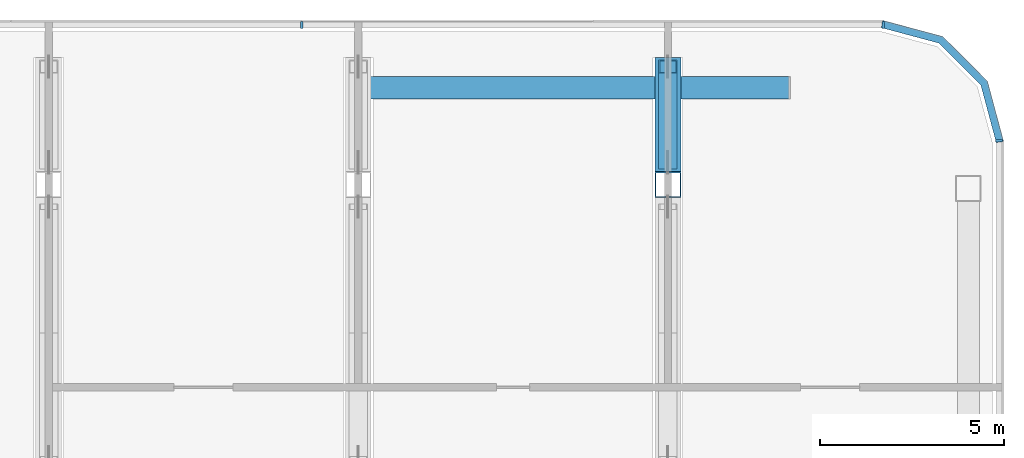
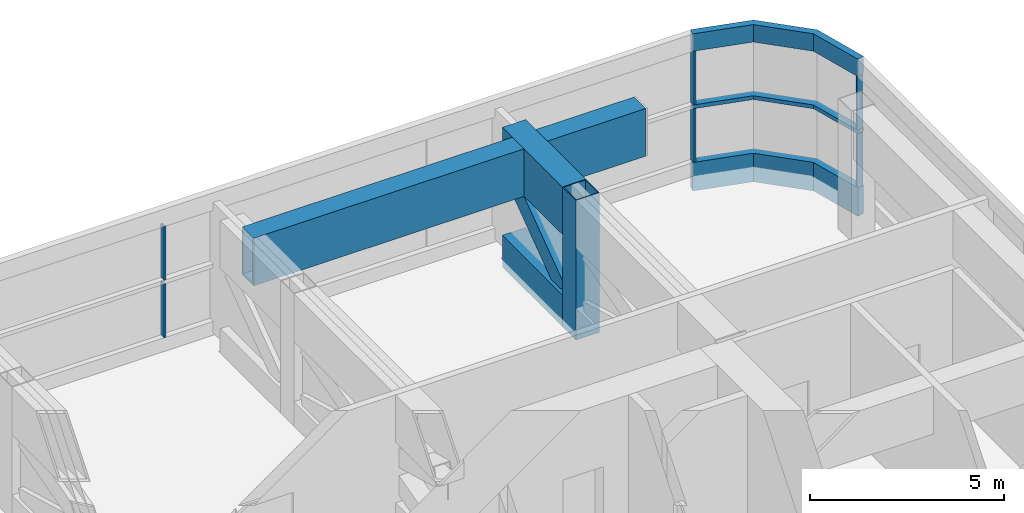
# One storey, part 13 of 33: 13 members, 1 beam, 3 elements without a shape of their own.
"""IFC4 building model written with IfcOpenShell, lengths in metres."""

from ifc_helpers import new_model, si_unit, direction, frame, origin, origin_2d, place, context, subcontext, project, spatial, polyline, rectangle, hollow_rectangle, outline, extrude, material, layer, layer_set, material_profile, profile_set, type_object, element, aggregate, save


model = new_model("IFC4")

# Units and contexts
model_context = context("Model", 3, precision=1e-05, world=origin(), true_north=direction((0.0, 1.0)))
body_context = subcontext(model_context, "Body", "Model", "MODEL_VIEW")
ifc_project = project(units=[si_unit("LENGTHUNIT", "METRE"), si_unit("AREAUNIT", "SQUARE_METRE"), si_unit("VOLUMEUNIT", "CUBIC_METRE"), si_unit("PLANEANGLEUNIT", "RADIAN"), si_unit("MASSUNIT", "GRAM", prefix="KILO")], contexts=[model_context])

# Site, building, storey
site_placement = place(None, origin())
site = spatial("IfcSite", under=ifc_project, at=site_placement, CompositionType="ELEMENT")
building_placement = place(site_placement, origin())
building = spatial("IfcBuilding", under=site, at=building_placement, Name="Hakoniwa Tower and Hamabe Station Hall", CompositionType="ELEMENT")
storey_placement = place(building_placement, frame((0.0, 0.0, 175.800048828125)))
storey = spatial("IfcBuildingStorey", under=building, at=storey_placement, Name="L50", CompositionType="ELEMENT", Elevation=175.800048828125)

# Curtain wall, members
ifc_material_1 = material(Name="Dark low-e laminated glass", Category="glass")
ifc_layer = layer(ifc_material_1, 0.199951171875)
ifc_layer_set = layer_set([ifc_layer], Name="CW-6 PLANT LOUVRE")
curtain_wall_type = type_object("IfcCurtainWallType", Name="CW-6 PLANT LOUVRE", PredefinedType="NOTDEFINED", material=ifc_layer_set)
curtain_wall_1_placement = place(storey_placement, origin())
curtain_wall_1 = element("IfcCurtainWall", 1, at=curtain_wall_1_placement, inside=storey, type_object=curtain_wall_type, Name="CW-6 curtain wall", PredefinedType="NOTDEFINED")
ifc_material_2 = material(Name="Aluminium 6063-T5 black anodised", Category="aluminium")
ifc_material_profile_1 = material_profile(ifc_material_2, rectangle(XDim=0.199951171875, YDim=0.550048828125, at=origin_2d()), Name="CW HEAD BAND 550X200")
ifc_profile_set_1 = profile_set([ifc_material_profile_1], Name="Aluminium 6063-T5 black anodised")
member_type_1 = type_object("IfcMemberType", Name="CW HEAD BAND 550X200", PredefinedType="USERDEFINED", material=ifc_profile_set_1)
member_1_placement = place(storey_placement, frame((0.0, 0.0, 3.849853515625)))
member_1 = element("IfcMember", 2, at=member_1_placement, type_object=member_type_1, Name="CW-6 transom", ObjectType="TRANSOM", PredefinedType="USERDEFINED", context=body_context, shape_type="SweptSolid", body=[
    extrude(outline(polyline([(42.699951171875, 17.28955078125), (42.26708984375, 18.9052734375), (41.05517578125, 20.116943359375), (39.439453125, 20.550048828125), (39.3876953125, 20.35693359375), (40.95166015625, 19.937744140625), (42.087646484375, 18.8017578125), (42.5068359375, 17.23779296875), (42.699951171875, 17.28955078125)])), origin(), (0.0, 0.0, 1.0), 0.550048828125),
])
ifc_material_3 = material(Name="Aluminium 6063-T5 black anodised", Category="aluminium")
ifc_material_profile_2 = material_profile(ifc_material_3, rectangle(XDim=0.199951171875, YDim=0.1201171875, at=origin_2d()), Name="CW MID TRANSOM 120X200")
ifc_profile_set_2 = profile_set([ifc_material_profile_2], Name="Aluminium 6063-T5 black anodised")
member_type_2 = type_object("IfcMemberType", Name="CW MID TRANSOM 120X200", PredefinedType="USERDEFINED", material=ifc_profile_set_2)
member_2_placement = place(storey_placement, frame((0.0, 0.0, 2.0400390625)))
member_2 = element("IfcMember", 3, at=member_2_placement, type_object=member_type_2, Name="CW-6 transom", ObjectType="TRANSOM", PredefinedType="USERDEFINED", context=body_context, shape_type="SweptSolid", body=[
    extrude(outline(polyline([(42.699951171875, 17.28955078125), (42.26708984375, 18.9052734375), (41.05517578125, 20.116943359375), (39.439453125, 20.550048828125), (39.3876953125, 20.35693359375), (40.95166015625, 19.937744140625), (42.087646484375, 18.8017578125), (42.5068359375, 17.23779296875), (42.699951171875, 17.28955078125)])), origin(), (0.0, 0.0, 1.0), 0.119873046875),
])
ifc_material_4 = material(Name="Aluminium 6063-T5 black anodised", Category="aluminium")
ifc_material_profile_3 = material_profile(ifc_material_4, rectangle(XDim=0.199951171875, YDim=0.89990234375, at=origin_2d()), Name="CW SLAB-EDGE BAND 900X200")
ifc_profile_set_3 = profile_set([ifc_material_profile_3], Name="Aluminium 6063-T5 black anodised")
member_type_3 = type_object("IfcMemberType", Name="CW SLAB-EDGE BAND 900X200", PredefinedType="USERDEFINED", material=ifc_profile_set_3)
member_3_placement = place(storey_placement, frame((0.0, 0.0, -0.550048828125)))
member_3 = element("IfcMember", 4, at=member_3_placement, type_object=member_type_3, Name="CW-6 transom", ObjectType="TRANSOM", PredefinedType="USERDEFINED", context=body_context, shape_type="SweptSolid", body=[
    extrude(outline(polyline([(42.699951171875, 17.28955078125), (42.26708984375, 18.9052734375), (41.05517578125, 20.116943359375), (39.439453125, 20.550048828125), (39.3876953125, 20.35693359375), (40.95166015625, 19.937744140625), (42.087646484375, 18.8017578125), (42.5068359375, 17.23779296875), (42.699951171875, 17.28955078125)])), origin(), (0.0, 0.0, 1.0), 0.89990234375),
])
aggregate(curtain_wall_1, [member_3, member_2, member_1])

curtain_wall_2_placement = place(storey_placement, origin())
curtain_wall_2 = element("IfcCurtainWall", 5, at=curtain_wall_2_placement, inside=storey, type_object=curtain_wall_type, Name="CW-6 curtain wall", PredefinedType="NOTDEFINED")
ifc_material_5 = material(Name="Aluminium 6063-T5 black anodised", Category="aluminium")
ifc_material_profile_4 = material_profile(ifc_material_5, rectangle(XDim=0.06005859375, YDim=0.179931640625, at=origin_2d()), Name="CW-1 MULLION 60X180")
ifc_profile_set_4 = profile_set([ifc_material_profile_4], Name="Aluminium 6063-T5 black anodised")
member_type_4 = type_object("IfcMemberType", Name="CW-1 MULLION 60X180", PredefinedType="MULLION", material=ifc_profile_set_4)
member_4_placement = place(storey_placement, frame((42.58203125, 17.28955078125, 0.349853515625), z_axis=(0.0, 0.0, 1.0), x_axis=(0.0, 1.0, 0.0)))
member_4 = element("IfcMember", 6, at=member_4_placement, type_object=member_type_4, Name="CW-6 mullion", PredefinedType="MULLION", context=body_context, shape_type="SweptSolid", body=[
    extrude(rectangle(XDim=0.06005859375, YDim=0.179931640625, at=origin_2d()), origin(), (0.0, 0.0, 1.0), 1.690185546875),
])
member_5_placement = place(storey_placement, frame((42.58203125, 17.28955078125, 2.159912109375), z_axis=(0.0, 0.0, 1.0), x_axis=(0.0, 1.0, 0.0)))
member_5 = element("IfcMember", 7, at=member_5_placement, type_object=member_type_4, Name="CW-6 mullion", PredefinedType="MULLION", context=body_context, shape_type="SweptSolid", body=[
    extrude(rectangle(XDim=0.06005859375, YDim=0.179931640625, at=origin_2d()), origin(), (0.0, 0.0, 1.0), 1.68994140625),
])
aggregate(curtain_wall_2, [member_4, member_5])

curtain_wall_3_placement = place(storey_placement, origin())
curtain_wall_3 = element("IfcCurtainWall", 8, at=curtain_wall_3_placement, inside=storey, type_object=curtain_wall_type, Name="CW-6 curtain wall", PredefinedType="NOTDEFINED")
member_6_placement = place(storey_placement, frame((39.439453125, 20.431884765625, 0.349853515625), z_axis=(0.0, 0.0, 1.0), x_axis=(-1.0, 0.0, 0.0)))
member_6 = element("IfcMember", 9, at=member_6_placement, type_object=member_type_4, Name="CW-6 mullion", PredefinedType="MULLION", context=body_context, shape_type="SweptSolid", body=[
    extrude(rectangle(XDim=0.06005859375, YDim=0.179931640625, at=origin_2d()), origin(), (0.0, 0.0, 1.0), 1.690185546875),
])
member_7_placement = place(storey_placement, frame((39.439453125, 20.431884765625, 2.159912109375), z_axis=(0.0, 0.0, 1.0), x_axis=(-1.0, 0.0, 0.0)))
member_7 = element("IfcMember", 10, at=member_7_placement, type_object=member_type_4, Name="CW-6 mullion", PredefinedType="MULLION", context=body_context, shape_type="SweptSolid", body=[
    extrude(rectangle(XDim=0.06005859375, YDim=0.179931640625, at=origin_2d()), origin(), (0.0, 0.0, 1.0), 1.68994140625),
])
member_8_placement = place(storey_placement, frame((23.663818359375, 20.431884765625, 0.349853515625), z_axis=(0.0, 0.0, 1.0), x_axis=(-1.0, 0.0, 0.0)))
member_8 = element("IfcMember", 11, at=member_8_placement, type_object=member_type_4, Name="CW-6 mullion", PredefinedType="MULLION", context=body_context, shape_type="SweptSolid", body=[
    extrude(rectangle(XDim=0.06005859375, YDim=0.179931640625, at=origin_2d()), origin(), (0.0, 0.0, 1.0), 1.690185546875),
])
member_9_placement = place(storey_placement, frame((23.663818359375, 20.431884765625, 2.159912109375), z_axis=(0.0, 0.0, 1.0), x_axis=(-1.0, 0.0, 0.0)))
member_9 = element("IfcMember", 12, at=member_9_placement, type_object=member_type_4, Name="CW-6 mullion", PredefinedType="MULLION", context=body_context, shape_type="SweptSolid", body=[
    extrude(rectangle(XDim=0.06005859375, YDim=0.179931640625, at=origin_2d()), origin(), (0.0, 0.0, 1.0), 1.68994140625),
])
aggregate(curtain_wall_3, [member_6, member_7, member_8, member_9])

# Beam
ifc_material_6 = material(Name="Steel SN490C", Category="steel")
ifc_material_profile_5 = material_profile(ifc_material_6, hollow_rectangle(XDim=0.60009765625, YDim=1.5, WallThickness=0.054931640625, at=origin_2d()), Name="BX-1500x600x55")
ifc_profile_set_5 = profile_set([ifc_material_profile_5], Name="Steel SN490C")
beam_type = type_object("IfcBeamType", Name="TRANSFER GIRDER BX-1500x600x55", PredefinedType="BEAM", material=ifc_profile_set_5)
beam_placement = place(storey_placement, frame((25.199951171875, 18.72802734375, 3.349853515625), z_axis=(1.0, 0.0, 0.0), x_axis=(0.0, 1.0, 0.0)))
element("IfcBeam", 13, at=beam_placement, inside=storey, type_object=beam_type, Name="Truss L50-XG8", PredefinedType="BEAM", context=body_context, shape_type="SweptSolid", body=[
    extrude(hollow_rectangle(XDim=0.60009765625, YDim=1.5, WallThickness=0.054931640625, at=origin_2d()), origin(), (0.0, 0.0, 1.0), 11.677978515625),
])

# Members
ifc_material_7 = material(Name="Steel SN490C", Category="steel")
ifc_material_profile_6 = material_profile(ifc_material_7, hollow_rectangle(XDim=0.699951171875, YDim=1.0, WallThickness=0.0400390625, at=origin_2d()), Name="BX-1000x700x40")
ifc_profile_set_6 = profile_set([ifc_material_profile_6], Name="Steel SN490C")
member_type_5 = type_object("IfcMemberType", Name="TRUSS CHORD BX-1000x700x40", PredefinedType="CHORD", material=ifc_profile_set_6)
member_10_placement = place(storey_placement, frame((33.60009765625, 16.449951171875, 0.199951171875), z_axis=(0.0, 1.0, 0.0), x_axis=(-1.0, 0.0, 0.0)))
element("IfcMember", 14, at=member_10_placement, inside=storey, type_object=member_type_5, Name="Truss T3-19-BCH", PredefinedType="CHORD", context=body_context, shape_type="SweptSolid", body=[
    extrude(hollow_rectangle(XDim=0.699951171875, YDim=1.0, WallThickness=0.0400390625, at=origin_2d()), origin(), (0.0, 0.0, 1.0), 3.10009765625),
])
ifc_material_8 = material(Name="Steel SN490C", Category="steel")
ifc_material_profile_7 = material_profile(ifc_material_8, hollow_rectangle(XDim=0.699951171875, YDim=1.5, WallThickness=0.054931640625, at=origin_2d()), Name="BX-1500x700x55")
ifc_profile_set_7 = profile_set([ifc_material_profile_7], Name="Steel SN490C")
member_type_6 = type_object("IfcMemberType", Name="TRUSS CHORD BX-1500x700x55", PredefinedType="CHORD", material=ifc_profile_set_7)
member_11_placement = place(storey_placement, frame((33.60009765625, 16.449951171875, 3.349853515625), z_axis=(0.0, 1.0, 0.0), x_axis=(-1.0, 0.0, 0.0)))
element("IfcMember", 15, at=member_11_placement, inside=storey, type_object=member_type_6, Name="Truss T3-19-TCH", PredefinedType="CHORD", context=body_context, shape_type="SweptSolid", body=[
    extrude(hollow_rectangle(XDim=0.699951171875, YDim=1.5, WallThickness=0.054931640625, at=origin_2d()), origin(), (0.0, 0.0, 1.0), 3.10009765625),
])
ifc_material_9 = material(Name="Steel SN490C", Category="steel")
ifc_material_profile_8 = material_profile(ifc_material_9, hollow_rectangle(XDim=0.5, YDim=0.60009765625, WallThickness=0.028076171875, at=origin_2d()), Name="BX-600x500x28")
ifc_profile_set_8 = profile_set([ifc_material_profile_8], Name="Steel SN490C")
member_type_7 = type_object("IfcMemberType", Name="TRUSS DIAGONAL BX-600x500x28", PredefinedType="BRACE", material=ifc_profile_set_8)
member_12_placement = place(storey_placement, frame((33.60009765625, 16.699951171875, 0.699951171875), z_axis=(0.0, 0.807416124708, 0.589982373942), x_axis=(-1.0, 0.0, 0.0)))
element("IfcMember", 16, at=member_12_placement, inside=storey, type_object=member_type_7, Name="Truss T3-19-DHa", PredefinedType="BRACE", context=body_context, shape_type="SweptSolid", body=[
    extrude(hollow_rectangle(XDim=0.5, YDim=0.60009765625, WallThickness=0.028076171875, at=origin_2d()), origin(), (0.0, 0.0, 1.0), 3.22021484375),
])
ifc_material_10 = material(Name="Steel SN490C", Category="steel")
ifc_material_profile_9 = material_profile(ifc_material_10, hollow_rectangle(XDim=0.699951171875, YDim=0.699951171875, WallThickness=0.028076171875, at=origin_2d()), Name="BX-700x700x28")
ifc_profile_set_9 = profile_set([ifc_material_profile_9], Name="Steel SN490C")
member_type_8 = type_object("IfcMemberType", Name="TRUSS POST BX-700x700x28", PredefinedType="POST", material=ifc_profile_set_9)
member_13_placement = place(storey_placement, frame((33.60009765625, 16.10009765625, -0.300048828125), z_axis=(0.0, 0.0, 1.0), x_axis=(1.0, 0.0, 0.0)))
element("IfcMember", 17, at=member_13_placement, inside=storey, type_object=member_type_8, Name="Truss T3-19-P02", PredefinedType="POST", context=body_context, shape_type="SweptSolid", body=[
    extrude(hollow_rectangle(XDim=0.699951171875, YDim=0.699951171875, WallThickness=0.028076171875, at=origin_2d()), origin(), (0.0, 0.0, 1.0), 4.39990234375),
])

save(model, "model.ifc")
